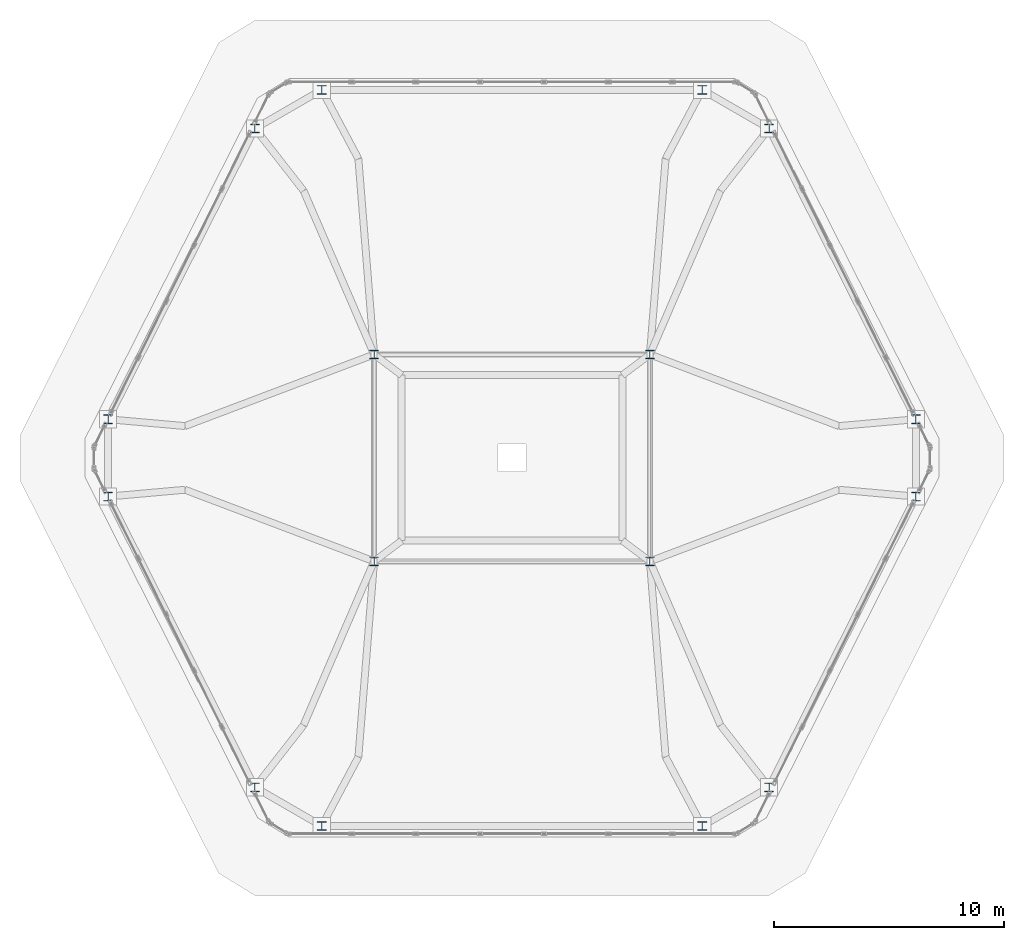
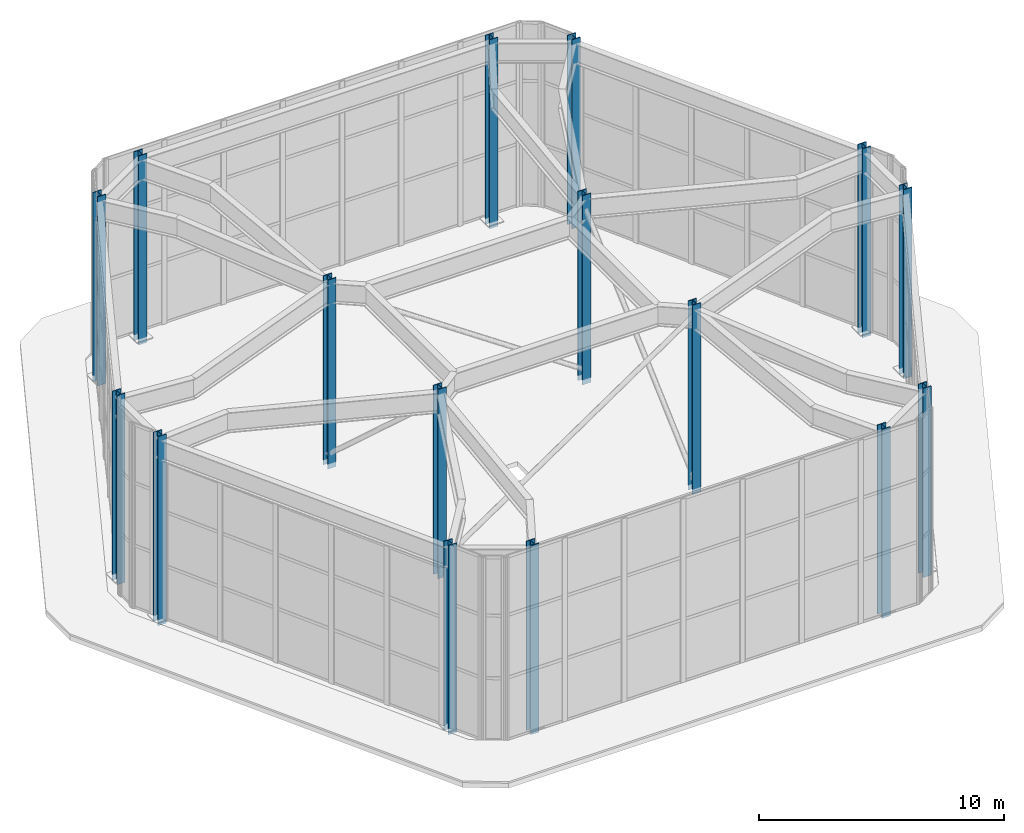
# One storey, part 1 of 12: 16 columns.
"""IFC4 building model written with IfcOpenShell, lengths in metres."""

from ifc_helpers import new_model, si_unit, direction, frame, origin, origin_2d, place, context, subcontext, project, spatial, i_section, extrude, material, material_profile, profile_set, type_object, element, save


model = new_model("IFC4")

# Units and contexts
model_context = context("Model", 3, precision=1e-05, world=origin(), true_north=direction((0.0, 1.0)))
body_context = subcontext(model_context, "Body", "Model", "MODEL_VIEW")
ifc_project = project(units=[si_unit("LENGTHUNIT", "METRE"), si_unit("AREAUNIT", "SQUARE_METRE"), si_unit("VOLUMEUNIT", "CUBIC_METRE"), si_unit("PLANEANGLEUNIT", "RADIAN"), si_unit("MASSUNIT", "GRAM", prefix="KILO")], contexts=[model_context])

# Site, building, storey
site_placement = place(None, origin())
site = spatial("IfcSite", under=ifc_project, at=site_placement, CompositionType="ELEMENT")
building_placement = place(site_placement, origin())
building = spatial("IfcBuilding", under=site, at=building_placement, Name="Cinnabar Lancet Tower", CompositionType="ELEMENT")
storey_placement = place(building_placement, frame((0.0, 0.0, 305.5)))
storey = spatial("IfcBuildingStorey", under=building, at=storey_placement, Name="L80", CompositionType="ELEMENT", Elevation=305.5)

# Columns
ifc_material = material(Name="Structural steel S460", Category="steel")
ifc_material_profile = material_profile(ifc_material, i_section(OverallWidth=0.39892578125, OverallDepth=0.3935546875, WebThickness=0.022705078125, FlangeThickness=0.03662109375, FilletRadius=0.01513671875, at=origin_2d()), Name="UKC 356x406x287")
ifc_profile_set = profile_set([ifc_material_profile], Name="Structural steel S460")
column_type = type_object("IfcColumnType", Name="STR-COL-STL-287", PredefinedType="COLUMN", material=ifc_profile_set)
for number, where, z_axis, x_axis, name in (
    (1, (24.125, 9.7890625, -0.25), (0.0, 0.0, 1.0), (1.0, 0.0, 0.0), "L80 Crown Lancet Steel Rib Column 1"),
    (2, (40.675048828125, 9.7890625, -0.25), (0.0, 0.0, 1.0), (1.0, 0.0, 0.0), "L80 Crown Lancet Steel Rib Column 2"),
    (3, (43.5810546875, 11.468994140625, -0.25), (0.0, 0.0, 1.0), (1.0, 0.0, 0.0), "L80 Crown Lancet Steel Rib Column 3"),
    (4, (49.972900390625, 24.116943359375, -0.25), (0.0, 0.0, 1.0), (1.0, 0.0, 0.0), "L80 Crown Lancet Steel Rib Column 4"),
    (5, (49.972900390625, 27.48291015625, -0.25), (0.0, 0.0, 1.0), (1.0, 0.0, 0.0), "L80 Crown Lancet Steel Rib Column 5"),
    (6, (43.5810546875, 40.131103515625, -0.25), (0.0, 0.0, 1.0), (1.0, 0.0, 0.0), "L80 Crown Lancet Steel Rib Column 6"),
    (7, (40.675048828125, 41.81103515625, -0.25), (0.0, 0.0, 1.0), (1.0, 0.0, 0.0), "L80 Crown Lancet Steel Rib Column 7"),
    (8, (24.125, 41.81103515625, -0.25), (0.0, 0.0, 1.0), (1.0, 0.0, 0.0), "L80 Crown Lancet Steel Rib Column 8"),
    (9, (21.218994140625, 40.131103515625, -0.25), (0.0, 0.0, 1.0), (1.0, 0.0, 0.0), "L80 Crown Lancet Steel Rib Column 9"),
    (10, (14.826904296875, 27.48291015625, -0.25), (0.0, 0.0, 1.0), (1.0, 0.0, 0.0), "L80 Crown Lancet Steel Rib Column 10"),
    (11, (14.826904296875, 24.116943359375, -0.25), (0.0, 0.0, 1.0), (1.0, 0.0, 0.0), "L80 Crown Lancet Steel Rib Column 11"),
    (12, (21.218994140625, 11.468994140625, -0.25), (0.0, 0.0, 1.0), (1.0, 0.0, 0.0), "L80 Crown Lancet Steel Rib Column 12"),
    (13, (26.39990234375, 21.300048828125, -0.25), (0.0, 0.0, 1.0), (1.0, 0.0, 0.0), "L80 Crown Inner Ring Column SW"),
    (14, (38.39990234375, 21.300048828125, -0.25), (0.0, 0.0, 1.0), (1.0, 0.0, 0.0), "L80 Crown Inner Ring Column SE"),
    (15, (38.39990234375, 30.300048828125, -0.25), (0.0, 0.0, 1.0), (1.0, 0.0, 0.0), "L80 Crown Inner Ring Column NE"),
    (16, (26.39990234375, 30.300048828125, -0.25), (0.0, 0.0, 1.0), (1.0, 0.0, 0.0), "L80 Crown Inner Ring Column NW"),
):
    element("IfcColumn", number, at=place(storey_placement, frame(where, z_axis=z_axis, x_axis=x_axis)), inside=storey, type_object=column_type, Name=name, PredefinedType="COLUMN", context=body_context, shape_type="SweptSolid", body=[
        extrude(i_section(OverallWidth=0.39892578125, OverallDepth=0.3935546875, WebThickness=0.022705078125, FlangeThickness=0.03662109375, FilletRadius=0.01513671875, at=origin_2d()), origin(), (0.0, 0.0, 1.0), 9.425048828125),
    ])

save(model, "model.ifc")
